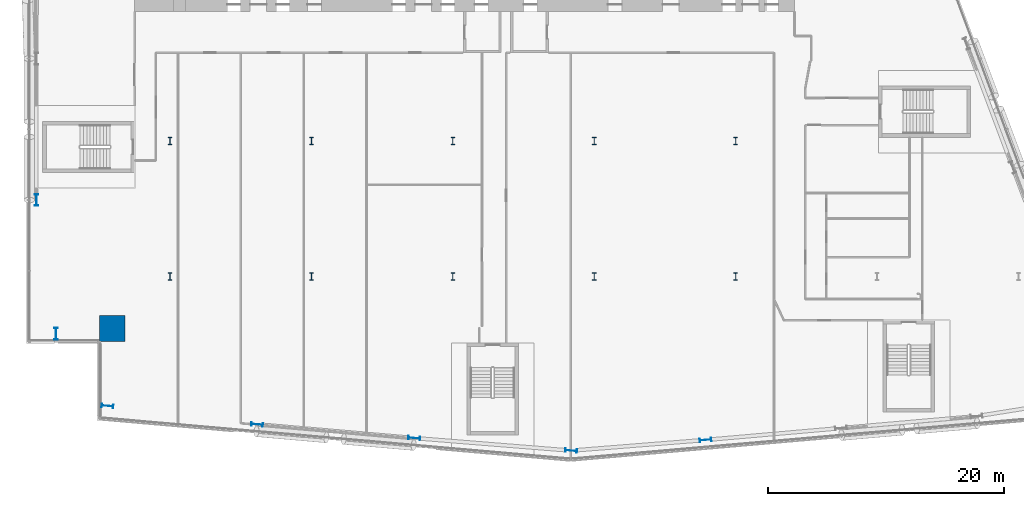
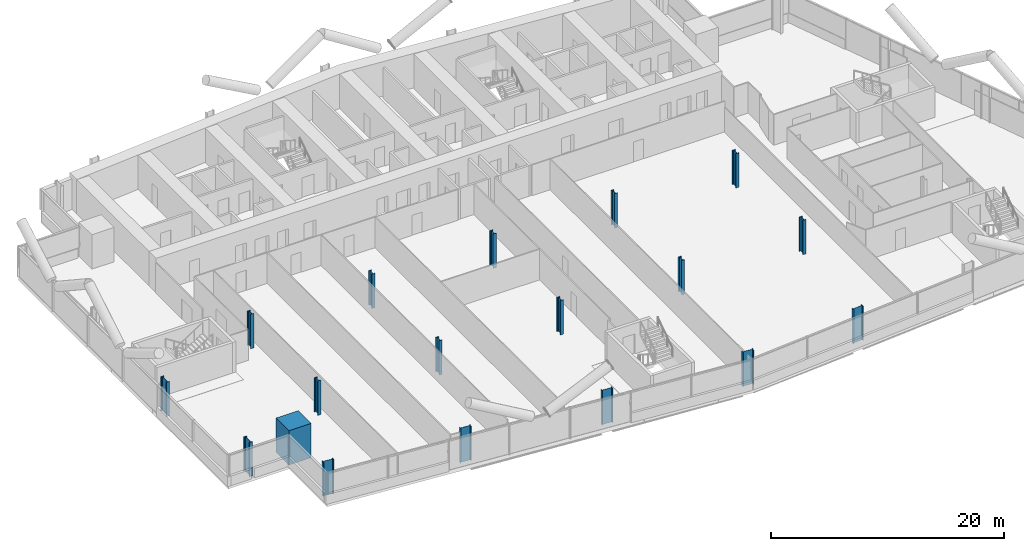
# One storey, part 1 of 25: 18 columns.
"""IFC4 building model written with IfcOpenShell, lengths in metres."""

from ifc_helpers import new_model, si_unit, direction, frame, origin, origin_2d, place, context, subcontext, project, spatial, rectangle, i_section, extrude, material, material_profile, profile_set, type_object, element, save


model = new_model("IFC4")

# Units and contexts
model_context = context("Model", 3, precision=1e-05, world=origin(), true_north=direction((0.0, 1.0)))
body_context = subcontext(model_context, "Body", "Model", "MODEL_VIEW")
ifc_project = project(units=[si_unit("LENGTHUNIT", "METRE"), si_unit("AREAUNIT", "SQUARE_METRE"), si_unit("VOLUMEUNIT", "CUBIC_METRE"), si_unit("PLANEANGLEUNIT", "RADIAN"), si_unit("MASSUNIT", "GRAM", prefix="KILO")], contexts=[model_context])

# Site, building, storey
site_placement = place(None, origin())
site = spatial("IfcSite", under=ifc_project, at=site_placement, CompositionType="ELEMENT")
building_placement = place(site_placement, origin())
building = spatial("IfcBuilding", under=site, at=building_placement, Name="Wharfspan Tower", CompositionType="ELEMENT")
storey_placement = place(building_placement, frame((0.0, 0.0, 70.300049)))
storey = spatial("IfcBuildingStorey", under=building, at=storey_placement, Name="L14", CompositionType="ELEMENT", Elevation=70.300049)

# Columns
ifc_material_1 = material(Name="Steel S355J2", Category="steel")
ifc_material_profile_1 = material_profile(ifc_material_1, i_section(OverallWidth=0.302002, OverallDepth=1.008057, WebThickness=0.020996, FlangeThickness=0.040039, FilletRadius=0.030029, at=origin_2d()))
ifc_profile_set_1 = profile_set([ifc_material_profile_1], Name="Steel S355J2")
column_type_1 = type_object("IfcColumnType", Name="Column HEM 1000", PredefinedType="COLUMN", material=ifc_profile_set_1)
for number, where, z_axis, x_axis, name in (
    (1, (6.694336, 0.528564, 0.0), (0.0, 0.0, 1.0), (-0.087156, -0.996198, 0.0), "Perimeter column PS1.1 L14"),
    (2, (19.390869, -1.033936, 0.0), (0.0, 0.0, 1.0), (-0.087156, -0.996198, 0.0), "Perimeter column PS1.2 L14"),
    (3, (32.724121, -2.200439, 0.0), (0.0, 0.0, 1.0), (-0.087156, -0.996198, 0.0), "Perimeter column PS1.3 L14"),
    (4, (46.04248, -3.268066, 0.0), (0.0, 0.0, 1.0), (-0.087156, -0.996198, 0.0), "Perimeter column PS1.4 L14"),
    (5, (57.442383, -2.36084, 0.0), (0.0, 0.0, 1.0), (0.087156, -0.996198, 0.0), "Perimeter column PS2.1 L14"),
    (6, (0.659912, 18.0, 0.0), (0.0, 0.0, 1.0), (-1.0, 0.0, 0.0), "Perimeter column PW.2 L14"),
    (7, (2.331787, 6.66748, 0.0), (0.0, 0.0, 1.0), (-1.0, 0.0, 0.0), "Perimeter column PW.3 L14"),
):
    element("IfcColumn", number, at=place(storey_placement, frame(where, z_axis=z_axis, x_axis=x_axis)), inside=storey, type_object=column_type_1, Name=name, PredefinedType="COLUMN", context=body_context, shape_type="SweptSolid", body=[
        extrude(i_section(OverallWidth=0.302002, OverallDepth=1.008057, WebThickness=0.020996, FlangeThickness=0.040039, FilletRadius=0.030029, at=origin_2d()), origin(), (0.0, 0.0, 1.0), 3.599854),
    ])
ifc_material_profile_2 = material_profile(ifc_material_1, i_section(OverallWidth=0.304932, OverallDepth=0.620117, WebThickness=0.020996, FlangeThickness=0.040039, FilletRadius=0.0271, at=origin_2d()))
ifc_profile_set_2 = profile_set([ifc_material_profile_2], Name="Steel S355J2")
column_type_2 = type_object("IfcColumnType", Name="Column HEM 600", PredefinedType="COLUMN", material=ifc_profile_set_2)
for number, where, z_axis, x_axis, name in (
    (8, (12.0, 11.5, 0.0), (0.0, 0.0, 1.0), (1.0, 0.0, 0.0), "Interior column I.1.1 L14"),
    (9, (24.0, 11.5, 0.0), (0.0, 0.0, 1.0), (1.0, 0.0, 0.0), "Interior column I.1.2 L14"),
    (10, (36.0, 11.5, 0.0), (0.0, 0.0, 1.0), (1.0, 0.0, 0.0), "Interior column I.1.3 L14"),
    (11, (48.0, 11.5, 0.0), (0.0, 0.0, 1.0), (1.0, 0.0, 0.0), "Interior column I.1.4 L14"),
    (12, (60.0, 11.5, 0.0), (0.0, 0.0, 1.0), (1.0, 0.0, 0.0), "Interior column I.1.5 L14"),
    (13, (12.0, 23.0, 0.0), (0.0, 0.0, 1.0), (1.0, 0.0, 0.0), "Interior column I.2.1 L14"),
    (14, (24.0, 23.0, 0.0), (0.0, 0.0, 1.0), (1.0, 0.0, 0.0), "Interior column I.2.2 L14"),
    (15, (36.0, 23.0, 0.0), (0.0, 0.0, 1.0), (1.0, 0.0, 0.0), "Interior column I.2.3 L14"),
    (16, (48.0, 23.0, 0.0), (0.0, 0.0, 1.0), (1.0, 0.0, 0.0), "Interior column I.2.4 L14"),
    (17, (60.0, 23.0, 0.0), (0.0, 0.0, 1.0), (1.0, 0.0, 0.0), "Interior column I.2.5 L14"),
):
    element("IfcColumn", number, at=place(storey_placement, frame(where, z_axis=z_axis, x_axis=x_axis)), inside=storey, type_object=column_type_2, Name=name, PredefinedType="COLUMN", context=body_context, shape_type="SweptSolid", body=[
        extrude(i_section(OverallWidth=0.304932, OverallDepth=0.620117, WebThickness=0.020996, FlangeThickness=0.040039, FilletRadius=0.0271, at=origin_2d()), origin(), (0.0, 0.0, 1.0), 3.599854),
    ])
ifc_material_2 = material(Name="Concrete C70/85", Category="concrete")
ifc_material_profile_3 = material_profile(ifc_material_2, rectangle(XDim=2.199951, YDim=2.199951, at=origin_2d()))
ifc_profile_set_3 = profile_set([ifc_material_profile_3], Name="Concrete C70/85")
column_type_3 = type_object("IfcColumnType", Name="Mega column 2200 C70/85", PredefinedType="COLUMN", material=ifc_profile_set_3)
column_placement = place(storey_placement, frame((7.100098, 7.100098, 0.0), z_axis=(0.0, 0.0, 1.0), x_axis=(1.0, 0.0, 0.0)))
element("IfcColumn", 18, at=column_placement, inside=storey, type_object=column_type_3, Name="Mega column MC1 L14", PredefinedType="COLUMN", context=body_context, shape_type="SweptSolid", body=[
    extrude(rectangle(XDim=2.199951, YDim=2.199951, at=origin_2d()), origin(), (0.0, 0.0, 1.0), 3.599854),
])

save(model, "model.ifc")
